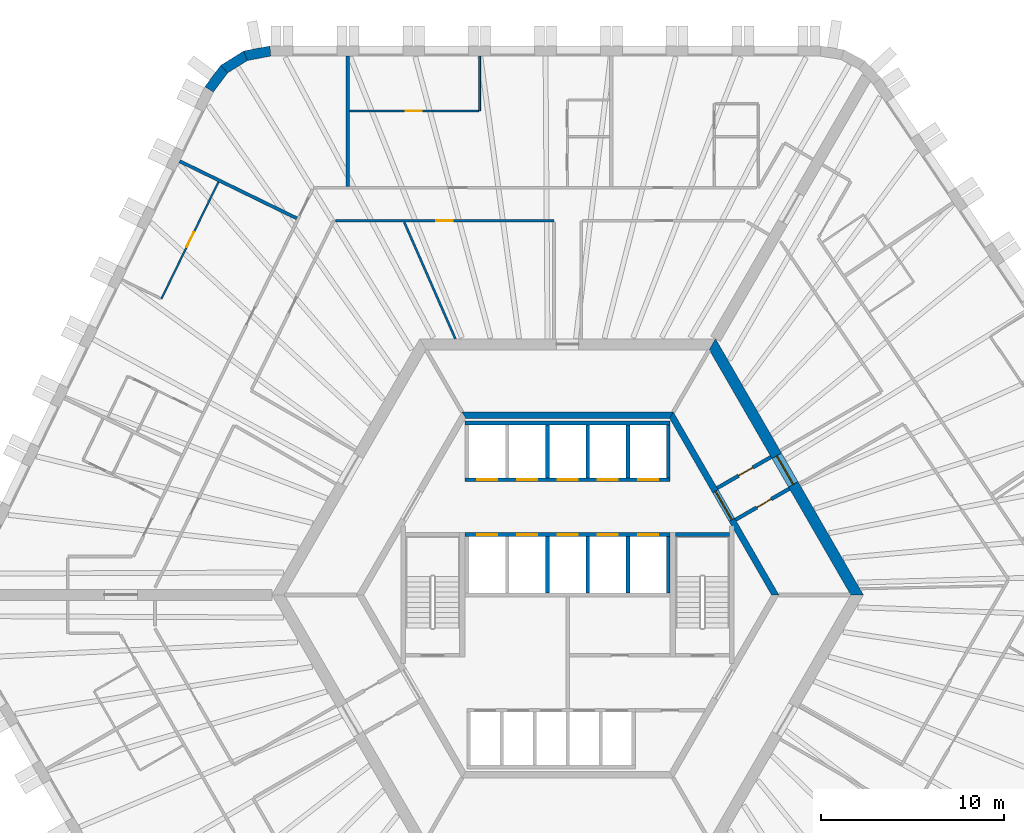
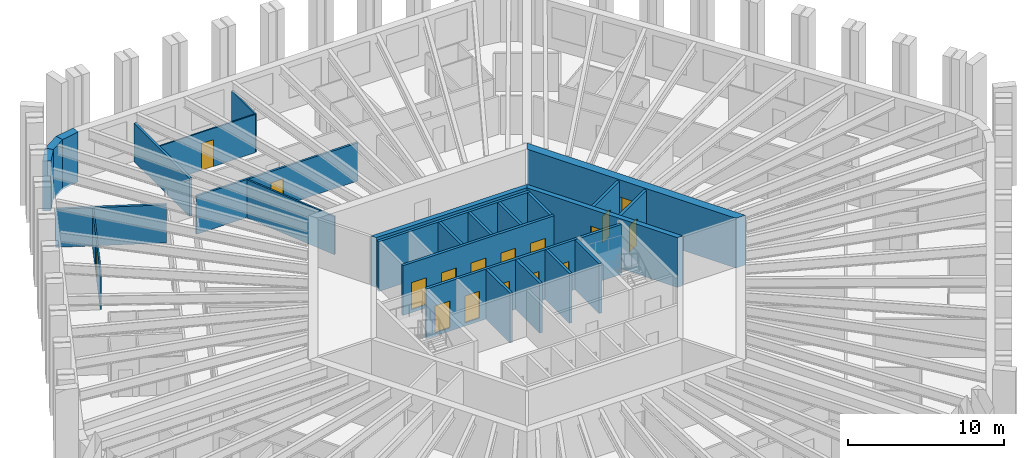
# One storey, part 8 of 13: 27 walls, 17 doors, 17 openings.
"""IFC4 building model written with IfcOpenShell, lengths in metres."""

from ifc_helpers import new_model, si_unit, direction, frame, frame_2d, origin, place, context, subcontext, project, spatial, polyline, rectangle, outline, extrude, material, layer, layer_set, type_object, element, fill, save


model = new_model("IFC4")

# Units and contexts
model_context = context("Model", 3, precision=1e-05, world=origin(), true_north=direction((0.0, 1.0)))
body_context = subcontext(model_context, "Body", "Model", "MODEL_VIEW")
ifc_project = project(units=[si_unit("LENGTHUNIT", "METRE"), si_unit("AREAUNIT", "SQUARE_METRE"), si_unit("VOLUMEUNIT", "CUBIC_METRE"), si_unit("PLANEANGLEUNIT", "RADIAN"), si_unit("MASSUNIT", "GRAM", prefix="KILO")], contexts=[model_context])

# Site, building, storey
site_placement = place(None, origin())
site = spatial("IfcSite", under=ifc_project, at=site_placement, CompositionType="ELEMENT")
building_placement = place(site_placement, origin())
building = spatial("IfcBuilding", under=site, at=building_placement, Name="Tarnside Tower", CompositionType="ELEMENT")
storey_placement = place(building_placement, frame((0.0, 0.0, 92.10009765625)))
storey = spatial("IfcBuildingStorey", under=building, at=storey_placement, Name="L20", CompositionType="ELEMENT", Elevation=92.10009765625)

# Wall, opening, door
ifc_material_1 = material(Name="Concrete C50/60", Category="concrete")
ifc_layer_1 = layer(ifc_material_1, 0.35009765625)
ifc_layer_set_1 = layer_set([ifc_layer_1], Name="Core block wall 350 C50/60")
wall_type_1 = type_object("IfcWallType", Name="Core block wall 350 C50/60", PredefinedType="SHEAR", material=ifc_layer_set_1)
wall_1_placement = place(storey_placement, frame((11.344970703125, 0.0, -0.150146484375), z_axis=(0.0, 0.0, 1.0), x_axis=(-0.499995046907, 0.866028263435, 0.0)))
wall_1 = element("IfcWall", 1, at=wall_1_placement, inside=storey, type_object=wall_type_1, Name="L20 core block wall face 6", PredefinedType="SHEAR", context=body_context, shape_type="SweptSolid", body=[
    extrude(outline(polyline([(-0.10107421875, -0.175048828125), (11.44580078125, -0.175048828125), (11.24365234375, 0.175048828125), (0.10107421875, 0.175048828125), (-0.10107421875, -0.175048828125)])), origin(), (0.0, 0.0, 1.0), 3.900146484375),
])
opening_1_placement = place(wall_1_placement, frame((4.74365234375, 0.0, 0.14990234375)))
opening_1 = element("IfcOpeningElement", 2, at=opening_1_placement, cuts=wall_1, Name="Opening CD-LOB", PredefinedType="OPENING", context=body_context, shape_type="SweptSolid", body=[
    extrude(rectangle(XDim=1.800048828125, YDim=2.39990234375, at=frame_2d((0.89990234375, 1.199951171875))), frame((0.0, 0.18505859375, 0.0), z_axis=(0.0, -1.0, 0.0), x_axis=(1.0, 0.0, 0.0)), (0.0, 0.0, 1.0), 0.3701171875),
])
ifc_material_2 = material(Name="Steel fire door", Category="steel")
door_type_1 = type_object("IfcDoorType", Name="Lobby double door FD30S 1800x2400", OperationType="NOTDEFINED", PredefinedType="DOOR", material=ifc_material_2)
door_1_placement = place(opening_1_placement, origin())
door_1 = element("IfcDoor", 3, at=door_1_placement, inside=storey, type_object=door_type_1, Name="L20 lobby block door P2", OperationType="DOUBLE_DOOR_SINGLE_SWING", OverallHeight=2.39990234375, OverallWidth=1.800048828125, PredefinedType="DOOR", context=body_context, shape_type="SweptSolid", body=[
    extrude(rectangle(XDim=1.800048828125, YDim=2.39990234375, at=frame_2d((0.89990234375, 1.199951171875))), frame((0.0, 0.02490234375, 0.0), z_axis=(0.0, -1.0, 0.0), x_axis=(1.0, 0.0, 0.0)), (0.0, 0.0, 1.0), 0.050048828125),
])
fill(opening_1, door_1)

# Wall
wall_2_placement = place(storey_placement, frame((5.672607421875, 9.824951171875, -0.150146484375), z_axis=(0.0, 0.0, 1.0), x_axis=(-1.0, 0.0, 0.0)))
element("IfcWall", 4, at=wall_2_placement, inside=storey, type_object=wall_type_1, Name="L20 core block wall face 1", PredefinedType="SHEAR", context=body_context, shape_type="SweptSolid", body=[
    extrude(outline(polyline([(-0.10107421875, -0.175048828125), (11.4462890625, -0.175048828125), (11.244140625, 0.175048828125), (0.10107421875, 0.175048828125), (-0.10107421875, -0.175048828125)])), origin(), (0.0, 0.0, 1.0), 3.900146484375),
])

# Wall, opening, door
ifc_material_3 = material(Name="Concrete C40/50", Category="concrete")
ifc_layer_2 = layer(ifc_material_3, 0.199951171875)
ifc_layer_set_2 = layer_set([ifc_layer_2], Name="Core room partition 200 C40/50")
wall_type_2 = type_object("IfcWallType", Name="Core room partition 200 C40/50", PredefinedType="PARTITIONING", material=ifc_layer_set_2)
wall_3_placement = place(storey_placement, frame((8.1748046875, 5.841064453125, 0.0), z_axis=(0.0, 0.0, 1.0), x_axis=(0.866020560687, 0.500008388397, 0.0)))
wall_3 = element("IfcWall", 5, at=wall_3_placement, inside=storey, type_object=wall_type_2, Name="L20 core partition AC5L", PredefinedType="PARTITIONING", context=body_context, shape_type="SweptSolid", body=[
    extrude(rectangle(XDim=3.39990234375, YDim=0.199951171875, at=frame_2d((1.699951171875, 0.0))), origin(), (0.0, 0.0, 1.0), 3.64990234375),
])
opening_2_placement = place(wall_3_placement, frame((1.349609375, 0.0, 0.0)))
opening_2 = element("IfcOpeningElement", 6, at=opening_2_placement, cuts=wall_3, Name="Opening CD-room", PredefinedType="OPENING", context=body_context, shape_type="SweptSolid", body=[
    extrude(rectangle(XDim=0.89990234375, YDim=2.10009765625, at=frame_2d((0.449951171875, 1.050048828125))), frame((0.0, 0.10986328125, 0.0), z_axis=(0.0, -1.0, 0.0), x_axis=(1.0, 0.0, 0.0)), (0.0, 0.0, 1.0), 0.219970703125),
])
door_type_2 = type_object("IfcDoorType", Name="Room door FD60 900x2100", OperationType="NOTDEFINED", PredefinedType="DOOR", material=ifc_material_2)
door_2_placement = place(opening_2_placement, origin())
door_2 = element("IfcDoor", 7, at=door_2_placement, inside=storey, type_object=door_type_2, Name="L20 core room door AX5L", OperationType="SINGLE_SWING_LEFT", OverallHeight=2.10009765625, OverallWidth=0.89990234375, PredefinedType="DOOR", context=body_context, shape_type="SweptSolid", body=[
    extrude(rectangle(XDim=0.89990234375, YDim=2.10009765625, at=frame_2d((0.449951171875, 1.050048828125))), frame((0.0, 0.02490234375, 0.0), z_axis=(0.0, -1.0, 0.0), x_axis=(1.0, 0.0, 0.0)), (0.0, 0.0, 1.0), 0.050048828125),
])
fill(opening_2, door_2)

wall_4_placement = place(storey_placement, frame((9.1748046875, 4.10888671875, 0.0), z_axis=(0.0, 0.0, 1.0), x_axis=(0.865989465428, 0.500062241894, 0.0)))
wall_4 = element("IfcWall", 8, at=wall_4_placement, inside=storey, type_object=wall_type_2, Name="L20 core partition AC5R", PredefinedType="PARTITIONING", context=body_context, shape_type="SweptSolid", body=[
    extrude(rectangle(XDim=3.39990234375, YDim=0.199951171875, at=frame_2d((1.699951171875, 0.0))), origin(), (0.0, 0.0, 1.0), 3.64990234375),
])
opening_3_placement = place(wall_4_placement, frame((1.3505859375, 0.0, 0.0)))
opening_3 = element("IfcOpeningElement", 9, at=opening_3_placement, cuts=wall_4, Name="Opening CD-room", PredefinedType="OPENING", context=body_context, shape_type="SweptSolid", body=[
    extrude(rectangle(XDim=0.89990234375, YDim=2.10009765625, at=frame_2d((0.449951171875, 1.050048828125))), frame((0.0, 0.10986328125, 0.0), z_axis=(0.0, -1.0, 0.0), x_axis=(1.0, 0.0, 0.0)), (0.0, 0.0, 1.0), 0.219970703125),
])
door_3_placement = place(opening_3_placement, origin())
door_3 = element("IfcDoor", 10, at=door_3_placement, inside=storey, type_object=door_type_2, Name="L20 core room door AX5R", OperationType="SINGLE_SWING_LEFT", OverallHeight=2.10009765625, OverallWidth=0.89990234375, PredefinedType="DOOR", context=body_context, shape_type="SweptSolid", body=[
    extrude(rectangle(XDim=0.89990234375, YDim=2.10009765625, at=frame_2d((0.449951171875, 1.050048828125))), frame((0.0, 0.02490234375, 0.0), z_axis=(0.0, -1.0, 0.0), x_axis=(1.0, 0.0, 0.0)), (0.0, 0.0, 1.0), 0.050048828125),
])
fill(opening_3, door_3)

ifc_material_4 = material(Name="Concrete C80/95", Category="concrete")
ifc_layer_3 = layer(ifc_material_4, 0.60009765625)
ifc_layer_set_3 = layer_set([ifc_layer_3], Name="Core wall Z1 600 C80/95")
wall_type_3 = type_object("IfcWallType", Name="Core wall Z1 600 C80/95", PredefinedType="SHEAR", material=ifc_layer_set_3)
wall_5_placement = place(storey_placement, frame((15.8193359375, 0.0, -0.150146484375), z_axis=(0.0, 0.0, 1.0), x_axis=(-0.499999880136, 0.866025472988, 0.0)))
wall_5 = element("IfcWall", 11, at=wall_5_placement, inside=storey, type_object=wall_type_3, Name="L20 core wall face 6", PredefinedType="SHEAR", context=body_context, shape_type="SweptSolid", body=[
    extrude(outline(polyline([(-0.17333984375, -0.300048828125), (15.99267578125, -0.300048828125), (15.64599609375, 0.300048828125), (0.17333984375, 0.300048828125), (-0.17333984375, -0.300048828125)])), origin(), (0.0, 0.0, 1.0), 3.900146484375),
])
opening_4_placement = place(wall_5_placement, frame((6.980712890625, 0.0, 0.14990234375)))
opening_4 = element("IfcOpeningElement", 12, at=opening_4_placement, cuts=wall_5, Name="Opening CD-LOB", PredefinedType="OPENING", context=body_context, shape_type="SweptSolid", body=[
    extrude(rectangle(XDim=1.800048828125, YDim=2.39990234375, at=frame_2d((0.89990234375, 1.199951171875))), frame((0.0, 0.31005859375, 0.0), z_axis=(0.0, -1.0, 0.0), x_axis=(1.0, 0.0, 0.0)), (0.0, 0.0, 1.0), 0.6201171875),
])
door_4_placement = place(opening_4_placement, origin())
door_4 = element("IfcDoor", 13, at=door_4_placement, inside=storey, type_object=door_type_1, Name="L20 core door P2", OperationType="DOUBLE_DOOR_SINGLE_SWING", OverallHeight=2.39990234375, OverallWidth=1.800048828125, PredefinedType="DOOR", context=body_context, shape_type="SweptSolid", body=[
    extrude(rectangle(XDim=1.800048828125, YDim=2.39990234375, at=frame_2d((0.89990234375, 1.199951171875))), frame((0.0, 0.02490234375, 0.0), z_axis=(0.0, -1.0, 0.0), x_axis=(1.0, 0.0, 0.0)), (0.0, 0.0, 1.0), 0.050048828125),
])
fill(opening_4, door_4)

ifc_material_5 = material(Name="Gypsum board partition on steel studs", Category="steel")
ifc_layer_4 = layer(ifc_material_5, 0.14990234375)
ifc_layer_set_4 = layer_set([ifc_layer_4], Name="Corridor wall 150 EI 60")
wall_type_4 = type_object("IfcWallType", Name="Corridor wall 150 EI 60", PredefinedType="PARTITIONING", material=ifc_layer_set_4)
wall_6_placement = place(storey_placement, frame((-12.695068359375, 20.449951171875, 0.0), z_axis=(0.0, 0.0, 1.0), x_axis=(1.0, 0.0, 0.0)))
wall_6 = element("IfcWall", 14, at=wall_6_placement, inside=storey, type_object=wall_type_4, Name="Corridor wall 06015", PredefinedType="PARTITIONING", context=body_context, shape_type="SweptSolid", body=[
    extrude(rectangle(XDim=11.945068359375, YDim=0.14990234375, at=frame_2d((5.97265625, 0.0))), origin(), (0.0, 0.0, 1.0), 2.98779296875),
])
opening_5_placement = place(wall_6_placement, frame((5.5224609375, 0.0, 0.0)))
opening_5 = element("IfcOpeningElement", 15, at=opening_5_placement, cuts=wall_6, Name="Opening D-S1", PredefinedType="OPENING", context=body_context, shape_type="SweptSolid", body=[
    extrude(rectangle(XDim=0.89990234375, YDim=2.10009765625, at=frame_2d((0.449951171875, 1.050048828125))), frame((0.0, 0.0849609375, 0.0), z_axis=(0.0, -1.0, 0.0), x_axis=(1.0, 0.0, 0.0)), (0.0, 0.0, 1.0), 0.169921875),
])
ifc_material_6 = material(Name="Timber door leaf", Category="wood")
door_type_3 = type_object("IfcDoorType", Name="Service room door 900 FD30S", OperationType="NOTDEFINED", PredefinedType="DOOR", material=ifc_material_6)
door_5_placement = place(opening_5_placement, origin())
door_5 = element("IfcDoor", 16, at=door_5_placement, inside=storey, type_object=door_type_3, Name="Service door 06042", OperationType="SINGLE_SWING_RIGHT", OverallHeight=2.10009765625, OverallWidth=0.89990234375, PredefinedType="DOOR", context=body_context, shape_type="SweptSolid", body=[
    extrude(rectangle(XDim=0.89990234375, YDim=2.10009765625, at=frame_2d((0.449951171875, 1.050048828125))), frame((0.0, 0.02490234375, 0.0), z_axis=(0.0, -1.0, 0.0), x_axis=(1.0, 0.0, 0.0)), (0.0, 0.0, 1.0), 0.050048828125),
])
fill(opening_5, door_5)

# Walls
ifc_layer_5 = layer(ifc_material_5, 0.179931640625)
ifc_layer_set_5 = layer_set([ifc_layer_5], Name="Demising wall 180 EI 60")
wall_type_5 = type_object("IfcWallType", Name="Demising wall 180 EI 60", PredefinedType="PARTITIONING", material=ifc_layer_set_5)
for number, where, z_axis, x_axis, name in (
    (17, (-12.010986328125, 29.449951171875, 0.0), (0.0, 0.0, 1.0), (0.0, -1.0, 0.0), "Demising wall 06090"),
    (18, (-21.2041015625, 23.70556640625, 0.0), (0.0, 0.0, 1.0), (0.898783593711, -0.438392577123, 0.0), "Demising wall 06093"),
):
    element("IfcWall", number, at=place(storey_placement, frame(where, z_axis=z_axis, x_axis=x_axis)), inside=storey, type_object=wall_type_5, Name=name, PredefinedType="PARTITIONING", context=body_context, shape_type="SweptSolid", body=[
        extrude(rectangle(XDim=7.125, YDim=0.179931640625, at=frame_2d((3.5625, 0.0))), origin(), (0.0, 0.0, 1.0), 2.98779296875),
    ])

# Wall, openings, doors
ifc_layer_6 = layer(ifc_material_3, 0.199951171875)
ifc_layer_set_6 = layer_set([ifc_layer_6], Name="Lift shaft wall 200 C40/50")
wall_type_6 = type_object("IfcWallType", Name="Lift shaft wall 200 C40/50", PredefinedType="SHEAR", material=ifc_layer_set_6)
wall_7_placement = place(storey_placement, frame((-5.60009765625, 6.300048828125, -0.25), z_axis=(0.0, 0.0, 1.0), x_axis=(1.0, 0.0, 0.0)))
wall_7 = element("IfcWall", 19, at=wall_7_placement, inside=storey, type_object=wall_type_6, Name="L20 lift shaft front wall R1", PredefinedType="SHEAR", context=body_context, shape_type="SweptSolid", body=[
    extrude(rectangle(XDim=11.2001953125, YDim=0.199951171875, at=frame_2d((5.60009765625, 0.0))), origin(), (0.0, 0.0, 1.0), 3.89990234375),
])
opening_6_placement = place(wall_7_placement, frame((0.64990234375, 0.0, 0.25)))
opening_6 = element("IfcOpeningElement", 20, at=opening_6_placement, cuts=wall_7, Name="Opening LD", PredefinedType="OPENING", context=body_context, shape_type="SweptSolid", body=[
    extrude(rectangle(XDim=1.10009765625, YDim=2.10009765625, at=frame_2d((0.550048828125, 1.050048828125))), frame((0.0, 0.10986328125, 0.0), z_axis=(0.0, -1.0, 0.0), x_axis=(1.0, 0.0, 0.0)), (0.0, 0.0, 1.0), 0.219970703125),
])
opening_7_placement = place(wall_7_placement, frame((2.85009765625, 0.0, 0.25)))
opening_7 = element("IfcOpeningElement", 21, at=opening_7_placement, cuts=wall_7, Name="Opening LD", PredefinedType="OPENING", context=body_context, shape_type="SweptSolid", body=[
    extrude(rectangle(XDim=1.10009765625, YDim=2.10009765625, at=frame_2d((0.550048828125, 1.050048828125))), frame((0.0, 0.10986328125, 0.0), z_axis=(0.0, -1.0, 0.0), x_axis=(1.0, 0.0, 0.0)), (0.0, 0.0, 1.0), 0.219970703125),
])
opening_8_placement = place(wall_7_placement, frame((5.050048828125, 0.0, 0.25)))
opening_8 = element("IfcOpeningElement", 22, at=opening_8_placement, cuts=wall_7, Name="Opening LD", PredefinedType="OPENING", context=body_context, shape_type="SweptSolid", body=[
    extrude(rectangle(XDim=1.10009765625, YDim=2.10009765625, at=frame_2d((0.550048828125, 1.050048828125))), frame((0.0, 0.10986328125, 0.0), z_axis=(0.0, -1.0, 0.0), x_axis=(1.0, 0.0, 0.0)), (0.0, 0.0, 1.0), 0.219970703125),
])
opening_9_placement = place(wall_7_placement, frame((7.25, 0.0, 0.25)))
opening_9 = element("IfcOpeningElement", 23, at=opening_9_placement, cuts=wall_7, Name="Opening LD", PredefinedType="OPENING", context=body_context, shape_type="SweptSolid", body=[
    extrude(rectangle(XDim=1.10009765625, YDim=2.10009765625, at=frame_2d((0.550048828125, 1.050048828125))), frame((0.0, 0.10986328125, 0.0), z_axis=(0.0, -1.0, 0.0), x_axis=(1.0, 0.0, 0.0)), (0.0, 0.0, 1.0), 0.219970703125),
])
opening_10_placement = place(wall_7_placement, frame((9.449951171875, 0.0, 0.25)))
opening_10 = element("IfcOpeningElement", 24, at=opening_10_placement, cuts=wall_7, Name="Opening LD", PredefinedType="OPENING", context=body_context, shape_type="SweptSolid", body=[
    extrude(rectangle(XDim=1.10009765625, YDim=2.10009765625, at=frame_2d((0.550048828125, 1.050048828125))), frame((0.0, 0.10986328125, 0.0), z_axis=(0.0, -1.0, 0.0), x_axis=(1.0, 0.0, 0.0)), (0.0, 0.0, 1.0), 0.219970703125),
])
ifc_material_7 = material(Name="Stainless steel", Category="steel")
door_type_4 = type_object("IfcDoorType", Name="Lift landing door 1100x2100", OperationType="NOTDEFINED", PredefinedType="DOOR", material=ifc_material_7)
door_6_placement = place(opening_6_placement, origin())
door_6 = element("IfcDoor", 25, at=door_6_placement, inside=storey, type_object=door_type_4, Name="Low-rise lift 1 landing door L20", OperationType="SLIDING_TO_LEFT", OverallHeight=2.10009765625, OverallWidth=1.10009765625, PredefinedType="DOOR", context=body_context, shape_type="SweptSolid", body=[
    extrude(rectangle(XDim=1.10009765625, YDim=2.10009765625, at=frame_2d((0.550048828125, 1.050048828125))), frame((0.0, 0.02490234375, 0.0), z_axis=(0.0, -1.0, 0.0), x_axis=(1.0, 0.0, 0.0)), (0.0, 0.0, 1.0), 0.050048828125),
])
fill(opening_6, door_6)
door_7_placement = place(opening_7_placement, origin())
door_7 = element("IfcDoor", 26, at=door_7_placement, inside=storey, type_object=door_type_4, Name="Low-rise lift 2 landing door L20", OperationType="SLIDING_TO_LEFT", OverallHeight=2.10009765625, OverallWidth=1.10009765625, PredefinedType="DOOR", context=body_context, shape_type="SweptSolid", body=[
    extrude(rectangle(XDim=1.10009765625, YDim=2.10009765625, at=frame_2d((0.550048828125, 1.050048828125))), frame((0.0, 0.02490234375, 0.0), z_axis=(0.0, -1.0, 0.0), x_axis=(1.0, 0.0, 0.0)), (0.0, 0.0, 1.0), 0.050048828125),
])
fill(opening_7, door_7)
door_8_placement = place(opening_8_placement, origin())
door_8 = element("IfcDoor", 27, at=door_8_placement, inside=storey, type_object=door_type_4, Name="Low-rise lift 3 landing door L20", OperationType="SLIDING_TO_LEFT", OverallHeight=2.10009765625, OverallWidth=1.10009765625, PredefinedType="DOOR", context=body_context, shape_type="SweptSolid", body=[
    extrude(rectangle(XDim=1.10009765625, YDim=2.10009765625, at=frame_2d((0.550048828125, 1.050048828125))), frame((0.0, 0.02490234375, 0.0), z_axis=(0.0, -1.0, 0.0), x_axis=(1.0, 0.0, 0.0)), (0.0, 0.0, 1.0), 0.050048828125),
])
fill(opening_8, door_8)
door_9_placement = place(opening_9_placement, origin())
door_9 = element("IfcDoor", 28, at=door_9_placement, inside=storey, type_object=door_type_4, Name="Low sky-lobby shuttle 1 landing door L20", OperationType="SLIDING_TO_LEFT", OverallHeight=2.10009765625, OverallWidth=1.10009765625, PredefinedType="DOOR", context=body_context, shape_type="SweptSolid", body=[
    extrude(rectangle(XDim=1.10009765625, YDim=2.10009765625, at=frame_2d((0.550048828125, 1.050048828125))), frame((0.0, 0.02490234375, 0.0), z_axis=(0.0, -1.0, 0.0), x_axis=(1.0, 0.0, 0.0)), (0.0, 0.0, 1.0), 0.050048828125),
])
fill(opening_9, door_9)
door_10_placement = place(opening_10_placement, origin())
door_10 = element("IfcDoor", 29, at=door_10_placement, inside=storey, type_object=door_type_4, Name="Low sky-lobby shuttle 2 landing door L20", OperationType="SLIDING_TO_LEFT", OverallHeight=2.10009765625, OverallWidth=1.10009765625, PredefinedType="DOOR", context=body_context, shape_type="SweptSolid", body=[
    extrude(rectangle(XDim=1.10009765625, YDim=2.10009765625, at=frame_2d((0.550048828125, 1.050048828125))), frame((0.0, 0.02490234375, 0.0), z_axis=(0.0, -1.0, 0.0), x_axis=(1.0, 0.0, 0.0)), (0.0, 0.0, 1.0), 0.050048828125),
])
fill(opening_10, door_10)

# Walls
wall_8_placement = place(storey_placement, frame((-5.60009765625, 9.39990234375, -0.25), z_axis=(0.0, 0.0, 1.0), x_axis=(1.0, 0.0, 0.0)))
element("IfcWall", 30, at=wall_8_placement, inside=storey, type_object=wall_type_6, Name="L20 lift shaft back wall R1", PredefinedType="SHEAR", context=body_context, shape_type="SweptSolid", body=[
    extrude(rectangle(XDim=11.2001953125, YDim=0.199951171875, at=frame_2d((5.60009765625, 0.0))), origin(), (0.0, 0.0, 1.0), 3.89990234375),
])
for number, where, z_axis, x_axis, name in (
    (31, (-1.10009765625, 6.39990234375, -0.25), (0.0, 0.0, 1.0), (0.0, 1.0, 0.0), "L20 lift shaft partition R13"),
    (32, (1.10009765625, 6.39990234375, -0.25), (0.0, 0.0, 1.0), (0.0, 1.0, 0.0), "L20 lift shaft partition R14"),
    (33, (3.300048828125, 6.39990234375, -0.25), (0.0, 0.0, 1.0), (0.0, 1.0, 0.0), "L20 lift shaft partition R15"),
    (34, (5.5, 6.39990234375, -0.25), (0.0, 0.0, 1.0), (0.0, 1.0, 0.0), "L20 lift shaft partition R16"),
):
    element("IfcWall", number, at=place(storey_placement, frame(where, z_axis=z_axis, x_axis=x_axis)), inside=storey, type_object=wall_type_6, Name=name, PredefinedType="SHEAR", context=body_context, shape_type="SweptSolid", body=[
        extrude(rectangle(XDim=2.900146484375, YDim=0.199951171875, at=frame_2d((1.4501953125, 0.0))), origin(), (0.0, 0.0, 1.0), 3.89990234375),
    ])

# Wall, openings, doors
wall_9_placement = place(storey_placement, frame((-5.60009765625, 3.300048828125, -0.25), z_axis=(0.0, 0.0, 1.0), x_axis=(1.0, 0.0, 0.0)))
wall_9 = element("IfcWall", 35, at=wall_9_placement, inside=storey, type_object=wall_type_6, Name="L20 lift shaft front wall R2", PredefinedType="SHEAR", context=body_context, shape_type="SweptSolid", body=[
    extrude(rectangle(XDim=11.2001953125, YDim=0.199951171875, at=frame_2d((5.60009765625, 0.0))), origin(), (0.0, 0.0, 1.0), 3.89990234375),
])
opening_11_placement = place(wall_9_placement, frame((0.64990234375, 0.0, 0.25)))
opening_11 = element("IfcOpeningElement", 36, at=opening_11_placement, cuts=wall_9, Name="Opening LD", PredefinedType="OPENING", context=body_context, shape_type="SweptSolid", body=[
    extrude(rectangle(XDim=1.10009765625, YDim=2.10009765625, at=frame_2d((0.550048828125, 1.050048828125))), frame((0.0, 0.10986328125, 0.0), z_axis=(0.0, -1.0, 0.0), x_axis=(1.0, 0.0, 0.0)), (0.0, 0.0, 1.0), 0.219970703125),
])
opening_12_placement = place(wall_9_placement, frame((2.85009765625, 0.0, 0.25)))
opening_12 = element("IfcOpeningElement", 37, at=opening_12_placement, cuts=wall_9, Name="Opening LD", PredefinedType="OPENING", context=body_context, shape_type="SweptSolid", body=[
    extrude(rectangle(XDim=1.10009765625, YDim=2.10009765625, at=frame_2d((0.550048828125, 1.050048828125))), frame((0.0, 0.10986328125, 0.0), z_axis=(0.0, -1.0, 0.0), x_axis=(1.0, 0.0, 0.0)), (0.0, 0.0, 1.0), 0.219970703125),
])
opening_13_placement = place(wall_9_placement, frame((5.050048828125, 0.0, 0.25)))
opening_13 = element("IfcOpeningElement", 38, at=opening_13_placement, cuts=wall_9, Name="Opening LD", PredefinedType="OPENING", context=body_context, shape_type="SweptSolid", body=[
    extrude(rectangle(XDim=1.10009765625, YDim=2.10009765625, at=frame_2d((0.550048828125, 1.050048828125))), frame((0.0, 0.10986328125, 0.0), z_axis=(0.0, -1.0, 0.0), x_axis=(1.0, 0.0, 0.0)), (0.0, 0.0, 1.0), 0.219970703125),
])
opening_14_placement = place(wall_9_placement, frame((7.25, 0.0, 0.25)))
opening_14 = element("IfcOpeningElement", 39, at=opening_14_placement, cuts=wall_9, Name="Opening LD", PredefinedType="OPENING", context=body_context, shape_type="SweptSolid", body=[
    extrude(rectangle(XDim=1.10009765625, YDim=2.10009765625, at=frame_2d((0.550048828125, 1.050048828125))), frame((0.0, 0.10986328125, 0.0), z_axis=(0.0, -1.0, 0.0), x_axis=(1.0, 0.0, 0.0)), (0.0, 0.0, 1.0), 0.219970703125),
])
opening_15_placement = place(wall_9_placement, frame((9.449951171875, 0.0, 0.25)))
opening_15 = element("IfcOpeningElement", 40, at=opening_15_placement, cuts=wall_9, Name="Opening LD", PredefinedType="OPENING", context=body_context, shape_type="SweptSolid", body=[
    extrude(rectangle(XDim=1.10009765625, YDim=2.10009765625, at=frame_2d((0.550048828125, 1.050048828125))), frame((0.0, 0.10986328125, 0.0), z_axis=(0.0, -1.0, 0.0), x_axis=(1.0, 0.0, 0.0)), (0.0, 0.0, 1.0), 0.219970703125),
])
door_11_placement = place(opening_11_placement, origin())
door_11 = element("IfcDoor", 41, at=door_11_placement, inside=storey, type_object=door_type_4, Name="Low-rise lift 4 landing door L20", OperationType="SLIDING_TO_LEFT", OverallHeight=2.10009765625, OverallWidth=1.10009765625, PredefinedType="DOOR", context=body_context, shape_type="SweptSolid", body=[
    extrude(rectangle(XDim=1.10009765625, YDim=2.10009765625, at=frame_2d((0.550048828125, 1.050048828125))), frame((0.0, 0.02490234375, 0.0), z_axis=(0.0, -1.0, 0.0), x_axis=(1.0, 0.0, 0.0)), (0.0, 0.0, 1.0), 0.050048828125),
])
fill(opening_11, door_11)
door_12_placement = place(opening_12_placement, origin())
door_12 = element("IfcDoor", 42, at=door_12_placement, inside=storey, type_object=door_type_4, Name="Low-rise lift 5 landing door L20", OperationType="SLIDING_TO_LEFT", OverallHeight=2.10009765625, OverallWidth=1.10009765625, PredefinedType="DOOR", context=body_context, shape_type="SweptSolid", body=[
    extrude(rectangle(XDim=1.10009765625, YDim=2.10009765625, at=frame_2d((0.550048828125, 1.050048828125))), frame((0.0, 0.02490234375, 0.0), z_axis=(0.0, -1.0, 0.0), x_axis=(1.0, 0.0, 0.0)), (0.0, 0.0, 1.0), 0.050048828125),
])
fill(opening_12, door_12)
door_13_placement = place(opening_13_placement, origin())
door_13 = element("IfcDoor", 43, at=door_13_placement, inside=storey, type_object=door_type_4, Name="Low-rise lift 6 landing door L20", OperationType="SLIDING_TO_LEFT", OverallHeight=2.10009765625, OverallWidth=1.10009765625, PredefinedType="DOOR", context=body_context, shape_type="SweptSolid", body=[
    extrude(rectangle(XDim=1.10009765625, YDim=2.10009765625, at=frame_2d((0.550048828125, 1.050048828125))), frame((0.0, 0.02490234375, 0.0), z_axis=(0.0, -1.0, 0.0), x_axis=(1.0, 0.0, 0.0)), (0.0, 0.0, 1.0), 0.050048828125),
])
fill(opening_13, door_13)
door_14_placement = place(opening_14_placement, origin())
door_14 = element("IfcDoor", 44, at=door_14_placement, inside=storey, type_object=door_type_4, Name="High sky-lobby shuttle 1 landing door L20", OperationType="SLIDING_TO_LEFT", OverallHeight=2.10009765625, OverallWidth=1.10009765625, PredefinedType="DOOR", context=body_context, shape_type="SweptSolid", body=[
    extrude(rectangle(XDim=1.10009765625, YDim=2.10009765625, at=frame_2d((0.550048828125, 1.050048828125))), frame((0.0, 0.02490234375, 0.0), z_axis=(0.0, -1.0, 0.0), x_axis=(1.0, 0.0, 0.0)), (0.0, 0.0, 1.0), 0.050048828125),
])
fill(opening_14, door_14)
door_15_placement = place(opening_15_placement, origin())
door_15 = element("IfcDoor", 45, at=door_15_placement, inside=storey, type_object=door_type_4, Name="Express sky-lobby shuttle 2 landing door L20", OperationType="SLIDING_TO_LEFT", OverallHeight=2.10009765625, OverallWidth=1.10009765625, PredefinedType="DOOR", context=body_context, shape_type="SweptSolid", body=[
    extrude(rectangle(XDim=1.10009765625, YDim=2.10009765625, at=frame_2d((0.550048828125, 1.050048828125))), frame((0.0, 0.02490234375, 0.0), z_axis=(0.0, -1.0, 0.0), x_axis=(1.0, 0.0, 0.0)), (0.0, 0.0, 1.0), 0.050048828125),
])
fill(opening_15, door_15)

# Walls
for number, where, z_axis, x_axis, name in (
    (46, (-1.10009765625, 0.10009765625, -0.25), (0.0, 0.0, 1.0), (0.0, 1.0, 0.0), "L20 lift shaft partition R23"),
    (47, (1.10009765625, 0.10009765625, -0.25), (0.0, 0.0, 1.0), (0.0, 1.0, 0.0), "L20 lift shaft partition R24"),
    (48, (3.300048828125, 0.10009765625, -0.25), (0.0, 0.0, 1.0), (0.0, 1.0, 0.0), "L20 lift shaft partition R25"),
    (49, (5.5, 0.10009765625, -0.25), (0.0, 0.0, 1.0), (0.0, 1.0, 0.0), "L20 lift shaft partition R26"),
):
    element("IfcWall", number, at=place(storey_placement, frame(where, z_axis=z_axis, x_axis=x_axis)), inside=storey, type_object=wall_type_6, Name=name, PredefinedType="SHEAR", context=body_context, shape_type="SweptSolid", body=[
        extrude(rectangle(XDim=3.099853515625, YDim=0.199951171875, at=frame_2d((1.5498046875, 0.0))), origin(), (0.0, 0.0, 1.0), 3.89990234375),
    ])
wall_10_placement = place(storey_placement, frame((5.89990234375, 3.300048828125, -0.25), z_axis=(0.0, 0.0, 1.0), x_axis=(1.0, 0.0, 0.0)))
element("IfcWall", 50, at=wall_10_placement, inside=storey, type_object=wall_type_6, Name="L20 stair 1 enclosure cap wall n", PredefinedType="SHEAR", context=body_context, shape_type="SweptSolid", body=[
    extrude(rectangle(XDim=2.9501953125, YDim=0.199951171875, at=frame_2d((1.47509765625, 0.0))), origin(), (0.0, 0.0, 1.0), 3.89990234375),
])
ifc_layer_7 = layer(ifc_material_5, 0.10009765625)
ifc_layer_set_7 = layer_set([ifc_layer_7], Name="Partition 100")
wall_type_7 = type_object("IfcWallType", Name="Partition 100", PredefinedType="PARTITIONING", material=ifc_layer_set_7)
wall_11_placement = place(storey_placement, frame((-4.81103515625, 29.449951171875, 0.0), z_axis=(0.0, 0.0, 1.0), x_axis=(0.0, -1.0, 0.0)))
element("IfcWall", 51, at=wall_11_placement, inside=storey, type_object=wall_type_7, Name="Partition wall 06088", PredefinedType="PARTITIONING", context=body_context, shape_type="SweptSolid", body=[
    extrude(rectangle(XDim=3.0, YDim=0.10009765625, at=frame_2d((1.5, 0.0))), origin(), (0.0, 0.0, 1.0), 2.98779296875),
])

# Wall, opening, door
wall_12_placement = place(storey_placement, frame((-4.861083984375, 26.449951171875, 0.0), z_axis=(0.0, 0.0, 1.0), x_axis=(-1.0, 0.0, 0.0)))
wall_12 = element("IfcWall", 52, at=wall_12_placement, inside=storey, type_object=wall_type_7, Name="Partition wall 06089", PredefinedType="PARTITIONING", context=body_context, shape_type="SweptSolid", body=[
    extrude(rectangle(XDim=7.06005859375, YDim=0.10009765625, at=frame_2d((3.530029296875, 0.0))), origin(), (0.0, 0.0, 1.0), 2.98779296875),
])
opening_16_placement = place(wall_12_placement, frame((3.10009765625, 0.0, 0.0)))
opening_16 = element("IfcOpeningElement", 53, at=opening_16_placement, cuts=wall_12, Name="Opening D-I1", PredefinedType="OPENING", context=body_context, shape_type="SweptSolid", body=[
    extrude(rectangle(XDim=0.89990234375, YDim=2.10009765625, at=frame_2d((0.449951171875, 1.050048828125))), frame((0.0, 0.06005859375, 0.0), z_axis=(0.0, -1.0, 0.0), x_axis=(1.0, 0.0, 0.0)), (0.0, 0.0, 1.0), 0.1201171875),
])
door_type_5 = type_object("IfcDoorType", Name="Internal door 900", OperationType="NOTDEFINED", PredefinedType="DOOR", material=ifc_material_6)
door_16_placement = place(opening_16_placement, origin())
door_16 = element("IfcDoor", 54, at=door_16_placement, inside=storey, type_object=door_type_5, Name="Internal door 06007", OperationType="SINGLE_SWING_RIGHT", OverallHeight=2.10009765625, OverallWidth=0.89990234375, PredefinedType="DOOR", context=body_context, shape_type="SweptSolid", body=[
    extrude(rectangle(XDim=0.89990234375, YDim=2.10009765625, at=frame_2d((0.449951171875, 1.050048828125))), frame((0.0, 0.02490234375, 0.0), z_axis=(0.0, -1.0, 0.0), x_axis=(1.0, 0.0, 0.0)), (0.0, 0.0, 1.0), 0.050048828125),
])
fill(opening_16, door_16)

wall_13_placement = place(storey_placement, frame((-19.08642578125, 22.572509765625, 0.0), z_axis=(0.0, 0.0, 1.0), x_axis=(-0.438387776054, -0.898785935475, 0.0)))
wall_13 = element("IfcWall", 55, at=wall_13_placement, inside=storey, type_object=wall_type_7, Name="Partition wall 06098", PredefinedType="PARTITIONING", context=body_context, shape_type="SweptSolid", body=[
    extrude(rectangle(XDim=7.110107421875, YDim=0.10009765625, at=frame_2d((3.55517578125, 0.0))), origin(), (0.0, 0.0, 1.0), 2.98779296875),
])
opening_17_placement = place(wall_13_placement, frame((3.06005859375, 0.0, 0.0)))
opening_17 = element("IfcOpeningElement", 56, at=opening_17_placement, cuts=wall_13, Name="Opening D-I1", PredefinedType="OPENING", context=body_context, shape_type="SweptSolid", body=[
    extrude(rectangle(XDim=0.89990234375, YDim=2.10009765625, at=frame_2d((0.449951171875, 1.050048828125))), frame((0.0, 0.06005859375, 0.0), z_axis=(0.0, -1.0, 0.0), x_axis=(1.0, 0.0, 0.0)), (0.0, 0.0, 1.0), 0.1201171875),
])
door_17_placement = place(opening_17_placement, origin())
door_17 = element("IfcDoor", 57, at=door_17_placement, inside=storey, type_object=door_type_5, Name="Internal door 06012", OperationType="SINGLE_SWING_RIGHT", OverallHeight=2.10009765625, OverallWidth=0.89990234375, PredefinedType="DOOR", context=body_context, shape_type="SweptSolid", body=[
    extrude(rectangle(XDim=0.89990234375, YDim=2.10009765625, at=frame_2d((0.449951171875, 1.050048828125))), frame((0.0, 0.02490234375, 0.0), z_axis=(0.0, -1.0, 0.0), x_axis=(1.0, 0.0, 0.0)), (0.0, 0.0, 1.0), 0.050048828125),
])
fill(opening_17, door_17)

# Walls
ifc_layer_8 = layer(ifc_material_5, 0.1201171875)
ifc_layer_set_8 = layer_set([ifc_layer_8], Name="Service room wall 120 EI 60")
wall_type_8 = type_object("IfcWallType", Name="Service room wall 120 EI 60", PredefinedType="PARTITIONING", material=ifc_layer_set_8)
wall_14_placement = place(storey_placement, frame((-8.931640625, 20.375, 0.0), z_axis=(0.0, 0.0, 1.0), x_axis=(0.401495831576, -0.915860850363, 0.0)))
element("IfcWall", 58, at=wall_14_placement, inside=storey, type_object=wall_type_8, Name="Service wall 06163", PredefinedType="PARTITIONING", context=body_context, shape_type="SweptSolid", body=[
    extrude(rectangle(XDim=6.960693359375, YDim=0.1201171875, at=frame_2d((3.48046875, 0.0))), origin(), (0.0, 0.0, 1.0), 2.98779296875),
])
ifc_material_8 = material(Name="Facing brick", Category="masonry")
ifc_layer_9 = layer(ifc_material_8, 0.10205078125)
ifc_material_9 = material(Name="Concrete C60/75 precast", Category="concrete")
ifc_layer_10 = layer(ifc_material_9, 0.347900390625)
ifc_material_10 = material(Name="Mineral wool insulation")
ifc_layer_11 = layer(ifc_material_10, 0.10009765625)
ifc_layer_set_9 = layer_set([ifc_layer_9, ifc_layer_10, ifc_layer_11], Name="Tube wall 550 brick faced")
wall_type_9 = type_object("IfcWallType", Name="Tube wall 550 brick faced", PredefinedType="SOLIDWALL", material=ifc_layer_set_9)
wall_15_placement = place(storey_placement, frame((-16.24658203125, 29.72509765625, -0.150146484375), z_axis=(0.0, 0.0, 1.0), x_axis=(-0.982705443133, -0.185175624845, 0.0)))
element("IfcWall", 59, at=wall_15_placement, inside=storey, type_object=wall_type_9, Name="Tube wall L20 F1 chord 01", PredefinedType="SOLIDWALL", context=body_context, shape_type="SweptSolid", body=[
    extrude(outline(polyline([(-0.025634765625, -0.27490234375), (1.430908203125, -0.27490234375), (1.327392578125, 0.27490234375), (0.025634765625, 0.27490234375), (-0.025634765625, -0.27490234375)])), origin(), (0.0, 0.0, 1.0), 3.900146484375),
])
wall_16_placement = place(storey_placement, frame((-17.601806640625, 29.4697265625, -0.150146484375), z_axis=(0.0, 0.0, 1.0), x_axis=(-0.848057977594, -0.5299034503, 0.0)))
element("IfcWall", 60, at=wall_16_placement, inside=storey, type_object=wall_type_9, Name="Tube wall L20 F1 chord 02", PredefinedType="SOLIDWALL", context=body_context, shape_type="SweptSolid", body=[
    extrude(outline(polyline([(-0.0517578125, -0.27490234375), (1.4306640625, -0.27490234375), (1.3271484375, 0.27490234375), (0.0517578125, 0.27490234375), (-0.0517578125, -0.27490234375)])), origin(), (0.0, 0.0, 1.0), 3.900146484375),
])
wall_17_placement = place(storey_placement, frame((-18.771240234375, 28.739013671875, -0.150146484375), z_axis=(0.0, 0.0, 1.0), x_axis=(-0.597135295884, -0.802140535324, 0.0)))
element("IfcWall", 61, at=wall_17_placement, inside=storey, type_object=wall_type_9, Name="Tube wall L20 F1 chord 03", PredefinedType="SOLIDWALL", context=body_context, shape_type="SweptSolid", body=[
    extrude(outline(polyline([(-0.0517578125, -0.27490234375), (1.40478515625, -0.27490234375), (1.353515625, 0.27490234375), (0.0517578125, 0.27490234375), (-0.0517578125, -0.27490234375)])), origin(), (0.0, 0.0, 1.0), 3.900146484375),
])

save(model, "model.ifc")
